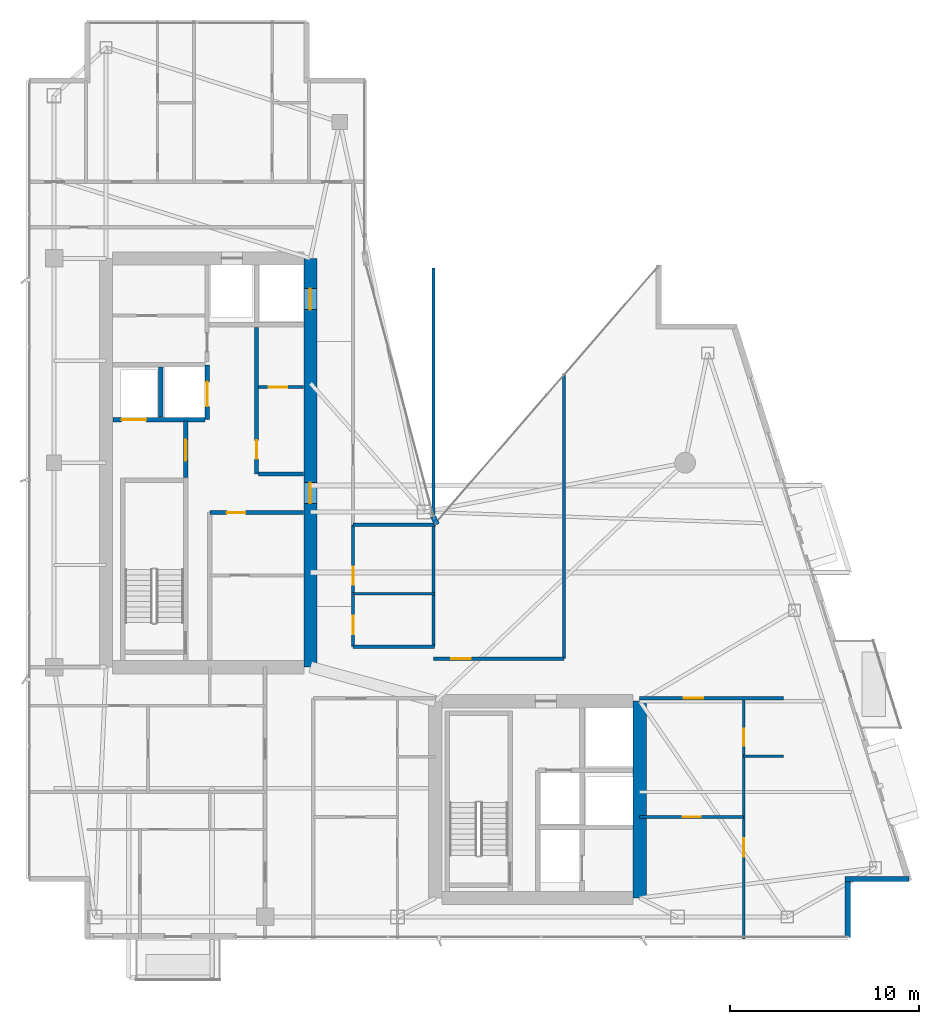
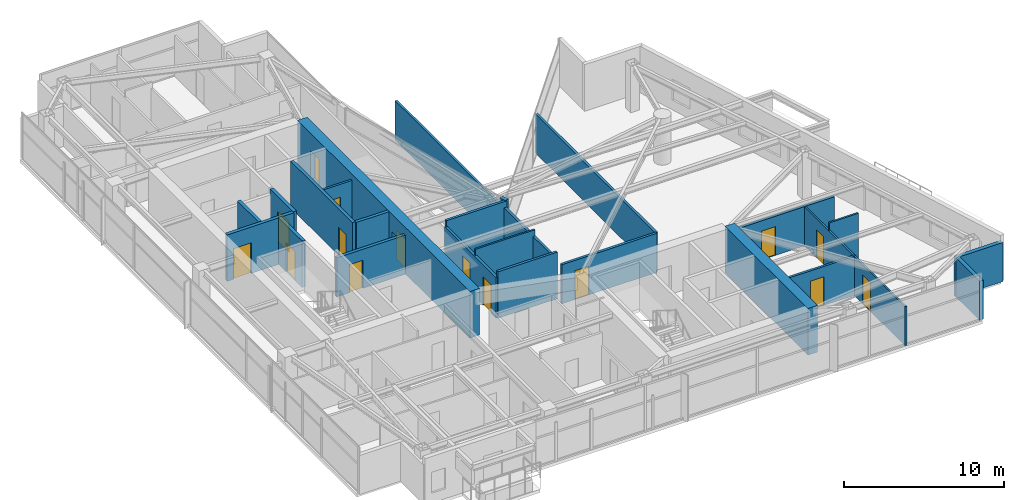
# One storey, part 25 of 29: 25 walls, 15 doors, 15 openings.
"""IFC4 building model written with IfcOpenShell, lengths in metres."""

from ifc_helpers import new_model, si_unit, direction, frame, frame_2d, origin, place, context, subcontext, project, spatial, rectangle, extrude, material, layer, layer_set, type_object, element, fill, save


model = new_model("IFC4")

# Units and contexts
model_context = context("Model", 3, precision=1e-05, world=origin(), true_north=direction((0.0, 1.0)))
body_context = subcontext(model_context, "Body", "Model", "MODEL_VIEW")
ifc_project = project(units=[si_unit("LENGTHUNIT", "METRE"), si_unit("AREAUNIT", "SQUARE_METRE"), si_unit("VOLUMEUNIT", "CUBIC_METRE"), si_unit("PLANEANGLEUNIT", "RADIAN"), si_unit("MASSUNIT", "GRAM", prefix="KILO")], contexts=[model_context])

# Site, building, storey
site_placement = place(None, origin())
site = spatial("IfcSite", under=ifc_project, at=site_placement, CompositionType="ELEMENT")
building_placement = place(site_placement, origin())
building = spatial("IfcBuilding", under=site, at=building_placement, Name="Calvorn Quay Hotel", CompositionType="ELEMENT")
storey_placement = place(building_placement, frame((0.0, 0.0, 251.39990234375)))
storey = spatial("IfcBuildingStorey", under=building, at=storey_placement, Name="L62", CompositionType="ELEMENT", Elevation=251.39990234375)

# Wall, openings, doors
ifc_material_1 = material(Name="Concrete C45", Category="concrete")
ifc_layer_1 = layer(ifc_material_1, 0.699951171875)
ifc_layer_set_1 = layer_set([ifc_layer_1], Name="WL-CORE-700")
wall_type_1 = type_object("IfcWallType", Name="WL-CORE-700", PredefinedType="SHEAR", material=ifc_layer_set_1)
wall_1_placement = place(storey_placement, frame((15.0, 16.800048828125, 0.0), z_axis=(0.0, 0.0, 1.0), x_axis=(0.0, 1.0, 0.0)))
wall_1 = element("IfcWall", 1, at=wall_1_placement, inside=storey, type_object=wall_type_1, Name="West Core Shear Wall E (L62)", PredefinedType="SHEAR", context=body_context, shape_type="SweptSolid", body=[
    extrude(rectangle(XDim=21.599853515625, YDim=0.699951171875, at=frame_2d((10.7998046875, 0.0))), origin(), (0.0, 0.0, 1.0), 3.56005859375),
])
opening_1_placement = place(wall_1_placement, frame((8.64990234375, 0.0, 0.0)))
opening_1 = element("IfcOpeningElement", 2, at=opening_1_placement, cuts=wall_1, Name="Opening D-L62-CW1", PredefinedType="OPENING", context=body_context, shape_type="SweptSolid", body=[
    extrude(rectangle(XDim=1.10009765625, YDim=2.199951171875, at=frame_2d((0.550048828125, 1.10009765625))), frame((0.0, 0.35986328125, 0.0), z_axis=(0.0, -1.0, 0.0), x_axis=(1.0, 0.0, 0.0)), (0.0, 0.0, 1.0), 0.719970703125),
])
opening_2_placement = place(wall_1_placement, frame((18.89990234375, 0.0, 0.0)))
opening_2 = element("IfcOpeningElement", 3, at=opening_2_placement, cuts=wall_1, Name="Opening LD-L62-H1", PredefinedType="OPENING", context=body_context, shape_type="SweptSolid", body=[
    extrude(rectangle(XDim=1.10009765625, YDim=2.199951171875, at=frame_2d((0.550048828125, 1.10009765625))), frame((0.0, 0.35986328125, 0.0), z_axis=(0.0, -1.0, 0.0), x_axis=(1.0, 0.0, 0.0)), (0.0, 0.0, 1.0), 0.719970703125),
])
ifc_material_2 = material(Name="Smoke-Sealed Steel Class A Fire Door", Category="steel")
door_type_1 = type_object("IfcDoorType", Name="DR-FFLOBBY-1100", OperationType="NOTDEFINED", PredefinedType="DOOR", material=ifc_material_2)
door_1_placement = place(opening_1_placement, origin())
door_1 = element("IfcDoor", 4, at=door_1_placement, inside=storey, type_object=door_type_1, Name="West Core Vestibule Fire Door (L62)", OperationType="SINGLE_SWING_LEFT", OverallHeight=2.199951171875, OverallWidth=1.10009765625, PredefinedType="DOOR", context=body_context, shape_type="SweptSolid", body=[
    extrude(rectangle(XDim=1.10009765625, YDim=2.199951171875, at=frame_2d((0.550048828125, 1.10009765625))), frame((0.0, 0.02490234375, 0.0), z_axis=(0.0, -1.0, 0.0), x_axis=(1.0, 0.0, 0.0)), (0.0, 0.0, 1.0), 0.050048828125),
])
fill(opening_1, door_1)
ifc_material_3 = material(Name="Brushed Stainless Steel Sliding Lift Landing Door", Category="steel")
door_type_2 = type_object("IfcDoorType", Name="DR-LIFT-PASS-1100", OperationType="NOTDEFINED", PredefinedType="DOOR", material=ifc_material_3)
door_2_placement = place(opening_2_placement, origin())
door_2 = element("IfcDoor", 5, at=door_2_placement, inside=storey, type_object=door_type_2, Name="High-Rise Lift PL-H1 Landing Door (L62)", OperationType="DOUBLE_DOOR_SLIDING", OverallHeight=2.199951171875, OverallWidth=1.10009765625, PredefinedType="DOOR", context=body_context, shape_type="SweptSolid", body=[
    extrude(rectangle(XDim=1.10009765625, YDim=2.199951171875, at=frame_2d((0.550048828125, 1.10009765625))), frame((0.0, 0.02490234375, 0.0), z_axis=(0.0, -1.0, 0.0), x_axis=(1.0, 0.0, 0.0)), (0.0, 0.0, 1.0), 0.050048828125),
])
fill(opening_2, door_2)

# Walls
wall_2_placement = place(storey_placement, frame((32.39990234375, 4.60009765625, 0.0), z_axis=(0.0, 0.0, 1.0), x_axis=(0.0, 1.0, 0.0)))
element("IfcWall", 6, at=wall_2_placement, inside=storey, type_object=wall_type_1, Name="East Core Shear Wall E (L62)", PredefinedType="SHEAR", context=body_context, shape_type="SweptSolid", body=[
    extrude(rectangle(XDim=10.39990234375, YDim=0.699951171875, at=frame_2d((5.199951171875, 0.0))), origin(), (0.0, 0.0, 1.0), 3.56005859375),
])
ifc_material_4 = material(Name="Acoustic Fireboard Steel-Stud Partition", Category="steel")
ifc_layer_2 = layer(ifc_material_4, 0.179931640625)
ifc_layer_set_2 = layer_set([ifc_layer_2], Name="WL-CORR-FIRE-180")
wall_type_2 = type_object("IfcWallType", Name="WL-CORR-FIRE-180", PredefinedType="PARTITIONING", material=ifc_layer_set_2)
wall_3_placement = place(storey_placement, frame((17.25, 17.8798828125, 0.0), z_axis=(0.0, 0.0, 1.0), x_axis=(1.0, 0.0, 0.0)))
element("IfcWall", 7, at=wall_3_placement, inside=storey, type_object=wall_type_2, Name="Partition Wall L62-WL-HK-S", PredefinedType="PARTITIONING", context=body_context, shape_type="SweptSolid", body=[
    extrude(rectangle(XDim=4.300048828125, YDim=0.179931640625, at=frame_2d((2.14990234375, 0.0))), origin(), (0.0, 0.0, 1.0), 3.56005859375),
])
wall_4_placement = place(storey_placement, frame((17.25, 24.320068359375, 0.0), z_axis=(0.0, 0.0, 1.0), x_axis=(1.0, 0.0, 0.0)))
element("IfcWall", 8, at=wall_4_placement, inside=storey, type_object=wall_type_2, Name="Partition Wall L62-WL-HK-N", PredefinedType="PARTITIONING", context=body_context, shape_type="SweptSolid", body=[
    extrude(rectangle(XDim=4.35009765625, YDim=0.179931640625, at=frame_2d((2.175048828125, 0.0))), origin(), (0.0, 0.0, 1.0), 3.56005859375),
])
wall_5_placement = place(storey_placement, frame((21.5, 17.8798828125, 0.0), z_axis=(0.0, 0.0, 1.0), x_axis=(0.0, 1.0, 0.0)))
element("IfcWall", 9, at=wall_5_placement, inside=storey, type_object=wall_type_2, Name="Partition Wall L62-WL-HK-E", PredefinedType="PARTITIONING", context=body_context, shape_type="SweptSolid", body=[
    extrude(rectangle(XDim=6.440185546875, YDim=0.179931640625, at=frame_2d((3.22021484375, 0.0))), origin(), (0.0, 0.0, 1.0), 3.090087890625),
])

# Wall, openings, doors
wall_6_placement = place(storey_placement, frame((17.25, 17.8798828125, 0.0), z_axis=(0.0, 0.0, 1.0), x_axis=(0.0, 1.0, 0.0)))
wall_6 = element("IfcWall", 10, at=wall_6_placement, inside=storey, type_object=wall_type_2, Name="Partition Wall L62-WL-HK-W", PredefinedType="PARTITIONING", context=body_context, shape_type="SweptSolid", body=[
    extrude(rectangle(XDim=6.440185546875, YDim=0.179931640625, at=frame_2d((3.22021484375, 0.0))), origin(), (0.0, 0.0, 1.0), 3.090087890625),
])
opening_3_placement = place(wall_6_placement, frame((0.64990234375, 0.0, 0.0)))
opening_3 = element("IfcOpeningElement", 11, at=opening_3_placement, cuts=wall_6, Name="Opening D-L62-HK", PredefinedType="OPENING", context=body_context, shape_type="SweptSolid", body=[
    extrude(rectangle(XDim=0.97998046875, YDim=2.14990234375, at=frame_2d((0.489990234375, 1.074951171875))), frame((0.0, 0.099853515625, 0.0), z_axis=(0.0, -1.0, 0.0), x_axis=(1.0, 0.0, 0.0)), (0.0, 0.0, 1.0), 0.199951171875),
])
opening_4_placement = place(wall_6_placement, frame((3.27001953125, 0.0, 0.0)))
opening_4 = element("IfcOpeningElement", 12, at=opening_4_placement, cuts=wall_6, Name="Opening D-L62-NCP", PredefinedType="OPENING", context=body_context, shape_type="SweptSolid", body=[
    extrude(rectangle(XDim=0.9599609375, YDim=2.199951171875, at=frame_2d((0.47998046875, 1.10009765625))), frame((0.0, 0.099853515625, 0.0), z_axis=(0.0, -1.0, 0.0), x_axis=(1.0, 0.0, 0.0)), (0.0, 0.0, 1.0), 0.199951171875),
])
ifc_material_5 = material(Name="Painted Steel Housekeeping/Riser Fire Door", Category="steel")
door_type_3 = type_object("IfcDoorType", Name="DR-SERVICE-980", OperationType="NOTDEFINED", PredefinedType="DOOR", material=ifc_material_5)
door_3_placement = place(opening_3_placement, origin())
door_3 = element("IfcDoor", 13, at=door_3_placement, inside=storey, type_object=door_type_3, Name="Floor Housekeeping Door (L62)", OperationType="SINGLE_SWING_LEFT", OverallHeight=2.14990234375, OverallWidth=0.97998046875, PredefinedType="DOOR", context=body_context, shape_type="SweptSolid", body=[
    extrude(rectangle(XDim=0.97998046875, YDim=2.14990234375, at=frame_2d((0.489990234375, 1.074951171875))), frame((0.0, 0.02490234375, 0.0), z_axis=(0.0, -1.0, 0.0), x_axis=(1.0, 0.0, 0.0)), (0.0, 0.0, 1.0), 0.050048828125),
])
fill(opening_3, door_3)
ifc_material_6 = material(Name="Solid Timber Internal Suite Door", Category="wood")
door_type_4 = type_object("IfcDoorType", Name="DR-SUITE-INT-960", OperationType="NOTDEFINED", PredefinedType="DOOR", material=ifc_material_6)
door_4_placement = place(opening_4_placement, origin())
door_4 = element("IfcDoor", 14, at=door_4_placement, inside=storey, type_object=door_type_4, Name="Reading Alcove Door (L62)", OperationType="SINGLE_SWING_RIGHT", OverallHeight=2.199951171875, OverallWidth=0.9599609375, PredefinedType="DOOR", context=body_context, shape_type="SweptSolid", body=[
    extrude(rectangle(XDim=0.9599609375, YDim=2.199951171875, at=frame_2d((0.47998046875, 1.10009765625))), frame((0.0, 0.02490234375, 0.0), z_axis=(0.0, -1.0, 0.0), x_axis=(1.0, 0.0, 0.0)), (0.0, 0.0, 1.0), 0.050048828125),
])
fill(opening_4, door_4)

# Wall, opening, door
wall_7_placement = place(storey_placement, frame((32.39990234375, 15.14990234375, 0.0), z_axis=(0.0, 0.0, 1.0), x_axis=(1.0, 0.0, 0.0)))
wall_7 = element("IfcWall", 15, at=wall_7_placement, inside=storey, type_object=wall_type_2, Name="Partition Wall L62-WL-CORR-SE-S", PredefinedType="PARTITIONING", context=body_context, shape_type="SweptSolid", body=[
    extrude(rectangle(XDim=7.60009765625, YDim=0.179931640625, at=frame_2d((3.800048828125, 0.0))), origin(), (0.0, 0.0, 1.0), 2.989990234375),
])
opening_5_placement = place(wall_7_placement, frame((2.330078125, 0.0, 0.0)))
opening_5 = element("IfcOpeningElement", 16, at=opening_5_placement, cuts=wall_7, Name="Opening D-L62-U06", PredefinedType="OPENING", context=body_context, shape_type="SweptSolid", body=[
    extrude(rectangle(XDim=1.02001953125, YDim=2.199951171875, at=frame_2d((0.510009765625, 1.10009765625))), frame((0.0, 0.099853515625, 0.0), z_axis=(0.0, -1.0, 0.0), x_axis=(1.0, 0.0, 0.0)), (0.0, 0.0, 1.0), 0.199951171875),
])
ifc_material_7 = material(Name="Solid-Core Walnut Veneer Hotel Fire Door")
door_type_5 = type_object("IfcDoorType", Name="DR-GUEST-ENTRY-1020", OperationType="NOTDEFINED", PredefinedType="DOOR", material=ifc_material_7)
door_5_placement = place(opening_5_placement, origin())
door_5 = element("IfcDoor", 17, at=door_5_placement, inside=storey, type_object=door_type_5, Name="South-East Unit Door U06 (L62)", OperationType="SINGLE_SWING_LEFT", OverallHeight=2.199951171875, OverallWidth=1.02001953125, PredefinedType="DOOR", context=body_context, shape_type="SweptSolid", body=[
    extrude(rectangle(XDim=1.02001953125, YDim=2.199951171875, at=frame_2d((0.510009765625, 1.10009765625))), frame((0.0, 0.02490234375, 0.0), z_axis=(0.0, -1.0, 0.0), x_axis=(1.0, 0.0, 0.0)), (0.0, 0.0, 1.0), 0.050048828125),
])
fill(opening_5, door_5)

wall_8_placement = place(storey_placement, frame((21.5, 17.25, 0.0), z_axis=(0.0, 0.0, 1.0), x_axis=(1.0, 0.0, 0.0)))
wall_8 = element("IfcWall", 18, at=wall_8_placement, inside=storey, type_object=wall_type_2, Name="Partition Wall L62-WL-CORR-NE-N", PredefinedType="PARTITIONING", context=body_context, shape_type="SweptSolid", body=[
    extrude(rectangle(XDim=6.89990234375, YDim=0.179931640625, at=frame_2d((3.449951171875, 0.0))), origin(), (0.0, 0.0, 1.0), 2.989990234375),
])
opening_6_placement = place(wall_8_placement, frame((0.949951171875, 0.0, 0.0)))
opening_6 = element("IfcOpeningElement", 19, at=opening_6_placement, cuts=wall_8, Name="Opening D-L62-NS1", PredefinedType="OPENING", context=body_context, shape_type="SweptSolid", body=[
    extrude(rectangle(XDim=1.02001953125, YDim=2.199951171875, at=frame_2d((0.510009765625, 1.10009765625))), frame((0.0, 0.099853515625, 0.0), z_axis=(0.0, -1.0, 0.0), x_axis=(1.0, 0.0, 0.0)), (0.0, 0.0, 1.0), 0.199951171875),
])
door_6_placement = place(opening_6_placement, origin())
door_6 = element("IfcDoor", 20, at=door_6_placement, inside=storey, type_object=door_type_5, Name="Conservatory Salon Door 1 (L62)", OperationType="SINGLE_SWING_RIGHT", OverallHeight=2.199951171875, OverallWidth=1.02001953125, PredefinedType="DOOR", context=body_context, shape_type="SweptSolid", body=[
    extrude(rectangle(XDim=1.02001953125, YDim=2.199951171875, at=frame_2d((0.510009765625, 1.10009765625))), frame((0.0, 0.02490234375, 0.0), z_axis=(0.0, -1.0, 0.0), x_axis=(1.0, 0.0, 0.0)), (0.0, 0.0, 1.0), 0.050048828125),
])
fill(opening_6, door_6)

# Walls
wall_9_placement = place(storey_placement, frame((28.39990234375, 17.25, 0.0), z_axis=(0.0, 0.0, 1.0), x_axis=(0.0, 1.0, 0.0)))
element("IfcWall", 21, at=wall_9_placement, inside=storey, type_object=wall_type_2, Name="Partition Wall L62-WL-NE-END-E", PredefinedType="PARTITIONING", context=body_context, shape_type="SweptSolid", body=[
    extrude(rectangle(XDim=15.070068359375, YDim=0.179931640625, at=frame_2d((7.53515625, 0.0))), origin(), (0.0, 0.0, 1.0), 2.989990234375),
])
ifc_material_8 = material(Name="Moisture-Resistant Tile-Backed Partition")
ifc_layer_3 = layer(ifc_material_8, 0.125)
ifc_layer_set_3 = layer_set([ifc_layer_3], Name="WL-ENSUITE-125")
wall_type_3 = type_object("IfcWallType", Name="WL-ENSUITE-125", PredefinedType="PARTITIONING", material=ifc_layer_set_3)
wall_10_placement = place(storey_placement, frame((17.25, 20.679931640625, 0.0), z_axis=(0.0, 0.0, 1.0), x_axis=(1.0, 0.0, 0.0)))
element("IfcWall", 22, at=wall_10_placement, inside=storey, type_object=wall_type_3, Name="Partition Wall L62-WL-HK-M", PredefinedType="PARTITIONING", context=body_context, shape_type="SweptSolid", body=[
    extrude(rectangle(XDim=4.300048828125, YDim=0.125, at=frame_2d((2.14990234375, 0.0))), origin(), (0.0, 0.0, 1.0), 3.56005859375),
])
wall_11_placement = place(storey_placement, frame((37.889892578125, 12.10009765625, 0.0), z_axis=(0.0, 0.0, 1.0), x_axis=(1.0, 0.0, 0.0)))
element("IfcWall", 23, at=wall_11_placement, inside=storey, type_object=wall_type_3, Name="Partition Wall L62-WL-U06-BDV", PredefinedType="PARTITIONING", context=body_context, shape_type="SweptSolid", body=[
    extrude(rectangle(XDim=2.110107421875, YDim=0.125, at=frame_2d((1.05517578125, 0.0))), origin(), (0.0, 0.0, 1.0), 3.56005859375),
])

# Wall, openings, doors
wall_12_placement = place(storey_placement, frame((37.889892578125, 2.43994140625, 0.0), z_axis=(0.0, 0.0, 1.0), x_axis=(0.0, 1.0, 0.0)))
wall_12 = element("IfcWall", 24, at=wall_12_placement, inside=storey, type_object=wall_type_3, Name="Partition Wall L62-WL-U06-BV", PredefinedType="PARTITIONING", context=body_context, shape_type="SweptSolid", body=[
    extrude(rectangle(XDim=12.7099609375, YDim=0.125, at=frame_2d((6.35498046875, 0.0))), origin(), (0.0, 0.0, 1.0), 2.989990234375),
])
opening_7_placement = place(wall_12_placement, frame((4.35009765625, 0.0, 0.0)))
opening_7 = element("IfcOpeningElement", 25, at=opening_7_placement, cuts=wall_12, Name="Opening D-L62-S06", PredefinedType="OPENING", context=body_context, shape_type="SweptSolid", body=[
    extrude(rectangle(XDim=0.9599609375, YDim=2.199951171875, at=frame_2d((0.47998046875, 1.10009765625))), frame((0.0, 0.072509765625, 0.0), z_axis=(0.0, -1.0, 0.0), x_axis=(1.0, 0.0, 0.0)), (0.0, 0.0, 1.0), 0.14501953125),
])
opening_8_placement = place(wall_12_placement, frame((10.2099609375, 0.0, 0.0)))
opening_8 = element("IfcOpeningElement", 26, at=opening_8_placement, cuts=wall_12, Name="Opening D-L62-E06", PredefinedType="OPENING", context=body_context, shape_type="SweptSolid", body=[
    extrude(rectangle(XDim=0.89990234375, YDim=2.14990234375, at=frame_2d((0.449951171875, 1.074951171875))), frame((0.0, 0.072509765625, 0.0), z_axis=(0.0, -1.0, 0.0), x_axis=(1.0, 0.0, 0.0)), (0.0, 0.0, 1.0), 0.14501953125),
])
ifc_material_9 = material(Name="Moisture-Sealed Timber En-Suite Door", Category="wood")
door_type_6 = type_object("IfcDoorType", Name="DR-ENSUITE-900", OperationType="NOTDEFINED", PredefinedType="DOOR", material=ifc_material_9)
door_7_placement = place(opening_8_placement, origin())
door_7 = element("IfcDoor", 27, at=door_7_placement, inside=storey, type_object=door_type_6, Name="En-Suite Door 06", OperationType="SINGLE_SWING_RIGHT", OverallHeight=2.14990234375, OverallWidth=0.89990234375, PredefinedType="DOOR", context=body_context, shape_type="SweptSolid", body=[
    extrude(rectangle(XDim=0.89990234375, YDim=2.14990234375, at=frame_2d((0.449951171875, 1.074951171875))), frame((0.0, 0.02490234375, 0.0), z_axis=(0.0, -1.0, 0.0), x_axis=(1.0, 0.0, 0.0)), (0.0, 0.0, 1.0), 0.050048828125),
])
fill(opening_8, door_7)
door_8_placement = place(opening_7_placement, origin())
door_8 = element("IfcDoor", 28, at=door_8_placement, inside=storey, type_object=door_type_4, Name="Curated Resort Boutique Door 06", OperationType="SINGLE_SWING_LEFT", OverallHeight=2.199951171875, OverallWidth=0.9599609375, PredefinedType="DOOR", context=body_context, shape_type="SweptSolid", body=[
    extrude(rectangle(XDim=0.9599609375, YDim=2.199951171875, at=frame_2d((0.47998046875, 1.10009765625))), frame((0.0, 0.02490234375, 0.0), z_axis=(0.0, -1.0, 0.0), x_axis=(1.0, 0.0, 0.0)), (0.0, 0.0, 1.0), 0.050048828125),
])
fill(opening_7, door_8)

# Walls
ifc_material_10 = material(Name="Concrete C40", Category="concrete")
ifc_layer_4 = layer(ifc_material_10, 0.320068359375)
ifc_layer_set_4 = layer_set([ifc_layer_4], Name="WL-EXT-SPANDREL-320")
wall_type_4 = type_object("IfcWallType", Name="WL-EXT-SPANDREL-320", PredefinedType="SOLIDWALL", material=ifc_layer_set_4)
wall_13_placement = place(storey_placement, frame((21.679931640625, 24.340087890625, 0.0), z_axis=(0.0, 0.0, 1.0), x_axis=(-0.40758134973, 0.913168901875, 0.0)))
element("IfcWall", 29, at=wall_13_placement, inside=storey, type_object=wall_type_4, Name="Inner Court Corner Pier L62-ICJ1", PredefinedType="SOLIDWALL", context=body_context, shape_type="SweptSolid", body=[
    extrude(rectangle(XDim=0.470703125, YDim=0.280029296875, at=frame_2d((0.2353515625, 0.0))), origin(), (0.0, 0.0, 1.0), 3.56005859375),
])
wall_14_placement = place(storey_placement, frame((43.39990234375, 2.52001953125, 0.0), z_axis=(0.0, 0.0, 1.0), x_axis=(0.0, 1.0, 0.0)))
element("IfcWall", 30, at=wall_14_placement, inside=storey, type_object=wall_type_4, Name="Notched Corner Spandrel L62-SE1", PredefinedType="SOLIDWALL", context=body_context, shape_type="SweptSolid", body=[
    extrude(rectangle(XDim=2.93994140625, YDim=0.280029296875, at=frame_2d((1.469970703125, 0.0))), origin(), (0.0, 0.0, 1.0), 2.989990234375),
])
wall_15_placement = place(storey_placement, frame((43.260009765625, 5.60009765625, 0.0), z_axis=(0.0, 0.0, 1.0), x_axis=(1.0, 0.0, 0.0)))
element("IfcWall", 31, at=wall_15_placement, inside=storey, type_object=wall_type_4, Name="Notched Corner Spandrel L62-SE2", PredefinedType="SOLIDWALL", context=body_context, shape_type="SweptSolid", body=[
    extrude(rectangle(XDim=3.3798828125, YDim=0.280029296875, at=frame_2d((1.68994140625, 0.0))), origin(), (0.0, 0.0, 1.0), 2.989990234375),
])

# Wall, opening, door
ifc_material_11 = material(Name="Double-Stud Acoustic Gypsum Partition")
ifc_layer_5 = layer(ifc_material_11, 0.159912109375)
ifc_layer_set_5 = layer_set([ifc_layer_5], Name="WL-INTERSUITE-160")
wall_type_5 = type_object("IfcWallType", Name="WL-INTERSUITE-160", PredefinedType="PARTITIONING", material=ifc_layer_set_5)
wall_16_placement = place(storey_placement, frame((12.25, 31.60009765625, 0.0), z_axis=(0.0, 0.0, 1.0), x_axis=(1.0, 0.0, 0.0)))
wall_16 = element("IfcWall", 32, at=wall_16_placement, inside=storey, type_object=wall_type_5, Name="Partition Wall L62-WL-CWW-FM-SPLIT", PredefinedType="PARTITIONING", context=body_context, shape_type="SweptSolid", body=[
    extrude(rectangle(XDim=2.3798828125, YDim=0.159912109375, at=frame_2d((1.18994140625, 0.0))), origin(), (0.0, 0.0, 1.0), 3.14013671875),
])
opening_9_placement = place(wall_16_placement, frame((0.550048828125, 0.0, 0.0)))
opening_9 = element("IfcOpeningElement", 33, at=opening_9_placement, cuts=wall_16, Name="Opening D-L62-FM2", PredefinedType="OPENING", context=body_context, shape_type="SweptSolid", body=[
    extrude(rectangle(XDim=0.97998046875, YDim=2.14990234375, at=frame_2d((0.489990234375, 1.074951171875))), frame((0.0, 0.08984375, 0.0), z_axis=(0.0, -1.0, 0.0), x_axis=(1.0, 0.0, 0.0)), (0.0, 0.0, 1.0), 0.179931640625),
])
door_9_placement = place(opening_9_placement, origin())
door_9 = element("IfcDoor", 34, at=door_9_placement, inside=storey, type_object=door_type_3, Name="Comms Room Door (L62)", OperationType="SINGLE_SWING_LEFT", OverallHeight=2.14990234375, OverallWidth=0.97998046875, PredefinedType="DOOR", context=body_context, shape_type="SweptSolid", body=[
    extrude(rectangle(XDim=0.97998046875, YDim=2.14990234375, at=frame_2d((0.489990234375, 1.074951171875))), frame((0.0, 0.02490234375, 0.0), z_axis=(0.0, -1.0, 0.0), x_axis=(1.0, 0.0, 0.0)), (0.0, 0.0, 1.0), 0.050048828125),
])
fill(opening_9, door_9)

wall_17_placement = place(storey_placement, frame((32.39990234375, 8.8798828125, 0.0), z_axis=(0.0, 0.0, 1.0), x_axis=(1.0, 0.0, 0.0)))
wall_17 = element("IfcWall", 35, at=wall_17_placement, inside=storey, type_object=wall_type_5, Name="Partition Wall L62-WL-U06-MSP", PredefinedType="PARTITIONING", context=body_context, shape_type="SweptSolid", body=[
    extrude(rectangle(XDim=5.489990234375, YDim=0.159912109375, at=frame_2d((2.7451171875, 0.0))), origin(), (0.0, 0.0, 1.0), 2.989990234375),
])
opening_10_placement = place(wall_17_placement, frame((2.27001953125, 0.0, 0.0)))
opening_10 = element("IfcOpeningElement", 36, at=opening_10_placement, cuts=wall_17, Name="Opening D-L62-M06", PredefinedType="OPENING", context=body_context, shape_type="SweptSolid", body=[
    extrude(rectangle(XDim=0.9599609375, YDim=2.199951171875, at=frame_2d((0.47998046875, 1.10009765625))), frame((0.0, 0.08984375, 0.0), z_axis=(0.0, -1.0, 0.0), x_axis=(1.0, 0.0, 0.0)), (0.0, 0.0, 1.0), 0.179931640625),
])
door_10_placement = place(opening_10_placement, origin())
door_10 = element("IfcDoor", 37, at=door_10_placement, inside=storey, type_object=door_type_4, Name="Suite Bedroom Door 06", OperationType="SINGLE_SWING_LEFT", OverallHeight=2.199951171875, OverallWidth=0.9599609375, PredefinedType="DOOR", context=body_context, shape_type="SweptSolid", body=[
    extrude(rectangle(XDim=0.9599609375, YDim=2.199951171875, at=frame_2d((0.47998046875, 1.10009765625))), frame((0.0, 0.02490234375, 0.0), z_axis=(0.0, -1.0, 0.0), x_axis=(1.0, 0.0, 0.0)), (0.0, 0.0, 1.0), 0.050048828125),
])
fill(opening_10, door_10)

# Wall
wall_18_placement = place(storey_placement, frame((21.5, 24.85009765625, 0.0), z_axis=(0.0, 0.0, 1.0), x_axis=(0.0, 1.0, 0.0)))
element("IfcWall", 38, at=wall_18_placement, inside=storey, type_object=wall_type_5, Name="Partition Wall L62-WL-NC-UPPER-E", PredefinedType="PARTITIONING", context=body_context, shape_type="SweptSolid", body=[
    extrude(rectangle(XDim=13.0498046875, YDim=0.159912109375, at=frame_2d((6.52490234375, 0.0))), origin(), (0.0, 0.0, 1.0), 2.989990234375),
])

# Wall, opening, door
ifc_material_12 = material(Name="Autoclaved Aerated Masonry Block", Category="masonry")
ifc_layer_6 = layer(ifc_material_12, 0.219970703125)
ifc_layer_set_6 = layer_set([ifc_layer_6], Name="WL-LOBBY-FIRE-220")
wall_type_6 = type_object("IfcWallType", Name="WL-LOBBY-FIRE-220", PredefinedType="SOLIDWALL", material=ifc_layer_set_6)
wall_19_placement = place(storey_placement, frame((9.679931640625, 24.969970703125, 0.0), z_axis=(0.0, 0.0, 1.0), x_axis=(1.0, 0.0, 0.0)))
wall_19 = element("IfcWall", 39, at=wall_19_placement, inside=storey, type_object=wall_type_6, Name="Partition Wall L62-WL-CWW-FR-N", PredefinedType="SOLIDWALL", context=body_context, shape_type="SweptSolid", body=[
    extrude(rectangle(XDim=4.949951171875, YDim=0.219970703125, at=frame_2d((2.47509765625, 0.0))), origin(), (0.0, 0.0, 1.0), 2.989990234375),
])
opening_11_placement = place(wall_19_placement, frame((0.89990234375, 0.0, 0.0)))
opening_11 = element("IfcOpeningElement", 40, at=opening_11_placement, cuts=wall_19, Name="Opening D-L62-FRL2", PredefinedType="OPENING", context=body_context, shape_type="SweptSolid", body=[
    extrude(rectangle(XDim=0.97998046875, YDim=2.14990234375, at=frame_2d((0.489990234375, 1.074951171875))), frame((0.0, 0.119873046875, 0.0), z_axis=(0.0, -1.0, 0.0), x_axis=(1.0, 0.0, 0.0)), (0.0, 0.0, 1.0), 0.239990234375),
])
door_11_placement = place(opening_11_placement, origin())
door_11 = element("IfcDoor", 41, at=door_11_placement, inside=storey, type_object=door_type_3, Name="Beverage Pantry Door (L62)", OperationType="SINGLE_SWING_RIGHT", OverallHeight=2.14990234375, OverallWidth=0.97998046875, PredefinedType="DOOR", context=body_context, shape_type="SweptSolid", body=[
    extrude(rectangle(XDim=0.97998046875, YDim=2.14990234375, at=frame_2d((0.489990234375, 1.074951171875))), frame((0.0, 0.02490234375, 0.0), z_axis=(0.0, -1.0, 0.0), x_axis=(1.0, 0.0, 0.0)), (0.0, 0.0, 1.0), 0.050048828125),
])
fill(opening_11, door_11)

# Wall
wall_20_placement = place(storey_placement, frame((12.25, 27.0, 0.0), z_axis=(0.0, 0.0, 1.0), x_axis=(1.0, 0.0, 0.0)))
element("IfcWall", 42, at=wall_20_placement, inside=storey, type_object=wall_type_6, Name="Partition Wall L62-WL-CWW-FM-S", PredefinedType="SOLIDWALL", context=body_context, shape_type="SweptSolid", body=[
    extrude(rectangle(XDim=2.3798828125, YDim=0.219970703125, at=frame_2d((1.18994140625, 0.0))), origin(), (0.0, 0.0, 1.0), 3.56005859375),
])

# Wall, opening, door
wall_21_placement = place(storey_placement, frame((12.14990234375, 27.0, 0.0), z_axis=(0.0, 0.0, 1.0), x_axis=(0.0, 1.0, 0.0)))
wall_21 = element("IfcWall", 43, at=wall_21_placement, inside=storey, type_object=wall_type_6, Name="Partition Wall L62-WL-CWW-FM-W", PredefinedType="SOLIDWALL", context=body_context, shape_type="SweptSolid", body=[
    extrude(rectangle(XDim=7.75, YDim=0.219970703125, at=frame_2d((3.875, 0.0))), origin(), (0.0, 0.0, 1.0), 3.56005859375),
])
opening_12_placement = place(wall_21_placement, frame((0.800048828125, 0.0, 0.0)))
opening_12 = element("IfcOpeningElement", 44, at=opening_12_placement, cuts=wall_21, Name="Opening D-L62-FM1", PredefinedType="OPENING", context=body_context, shape_type="SweptSolid", body=[
    extrude(rectangle(XDim=0.97998046875, YDim=2.14990234375, at=frame_2d((0.489990234375, 1.074951171875))), frame((0.0, 0.119873046875, 0.0), z_axis=(0.0, -1.0, 0.0), x_axis=(1.0, 0.0, 0.0)), (0.0, 0.0, 1.0), 0.239990234375),
])
door_12_placement = place(opening_12_placement, origin())
door_12 = element("IfcDoor", 45, at=door_12_placement, inside=storey, type_object=door_type_3, Name="Butler Pantry Door (L62)", OperationType="SINGLE_SWING_RIGHT", OverallHeight=2.14990234375, OverallWidth=0.97998046875, PredefinedType="DOOR", context=body_context, shape_type="SweptSolid", body=[
    extrude(rectangle(XDim=0.97998046875, YDim=2.14990234375, at=frame_2d((0.489990234375, 1.074951171875))), frame((0.0, 0.02490234375, 0.0), z_axis=(0.0, -1.0, 0.0), x_axis=(1.0, 0.0, 0.0)), (0.0, 0.0, 1.0), 0.050048828125),
])
fill(opening_12, door_12)

ifc_material_13 = material(Name="Concrete C40", Category="concrete")
ifc_layer_7 = layer(ifc_material_13, 0.239990234375)
ifc_layer_set_7 = layer_set([ifc_layer_7], Name="WL-SHAFT-240")
wall_type_7 = type_object("IfcWallType", Name="WL-SHAFT-240", PredefinedType="SOLIDWALL", material=ifc_layer_set_7)
wall_22_placement = place(storey_placement, frame((8.419921875, 26.820068359375, 0.0), z_axis=(0.0, 0.0, 1.0), x_axis=(0.0, 1.0, 0.0)))
wall_22 = element("IfcWall", 46, at=wall_22_placement, inside=storey, type_object=wall_type_7, Name="Partition Wall L62-WL-CWW-FFL-E", PredefinedType="SOLIDWALL", context=body_context, shape_type="SweptSolid", body=[
    extrude(rectangle(XDim=3.0, YDim=0.239990234375, at=frame_2d((1.5, 0.0))), origin(), (0.0, 0.0, 1.0), 3.56005859375),
])
opening_13_placement = place(wall_22_placement, frame((0.89990234375, 0.0, 0.0)))
opening_13 = element("IfcOpeningElement", 47, at=opening_13_placement, cuts=wall_22, Name="Opening D-L62-FLW", PredefinedType="OPENING", context=body_context, shape_type="SweptSolid", body=[
    extrude(rectangle(XDim=1.10009765625, YDim=2.199951171875, at=frame_2d((0.550048828125, 1.10009765625))), frame((0.0, 0.1298828125, 0.0), z_axis=(0.0, -1.0, 0.0), x_axis=(1.0, 0.0, 0.0)), (0.0, 0.0, 1.0), 0.260009765625),
])
door_13_placement = place(opening_13_placement, origin())
door_13 = element("IfcDoor", 48, at=door_13_placement, inside=storey, type_object=door_type_1, Name="West Firefighting Lobby Fire Door (L62)", OperationType="SINGLE_SWING_RIGHT", OverallHeight=2.199951171875, OverallWidth=1.10009765625, PredefinedType="DOOR", context=body_context, shape_type="SweptSolid", body=[
    extrude(rectangle(XDim=1.10009765625, YDim=2.199951171875, at=frame_2d((0.550048828125, 1.10009765625))), frame((0.0, 0.02490234375, 0.0), z_axis=(0.0, -1.0, 0.0), x_axis=(1.0, 0.0, 0.0)), (0.0, 0.0, 1.0), 0.050048828125),
])
fill(opening_13, door_13)

wall_23_placement = place(storey_placement, frame((4.570068359375, 29.8798828125, 0.0), z_axis=(0.0, 0.0, 1.0), x_axis=(1.0, 0.0, 0.0)))
wall_23 = element("IfcWall", 49, at=wall_23_placement, inside=storey, type_object=wall_type_7, Name="Partition Wall L62-WL-CWW-FLW-S", PredefinedType="SOLIDWALL", context=body_context, shape_type="SweptSolid", body=[
    extrude(rectangle(XDim=4.849853515625, YDim=0.239990234375, at=frame_2d((2.4248046875, 0.0))), origin(), (0.0, 0.0, 1.0), 3.56005859375),
])
opening_14_placement = place(wall_23_placement, frame((0.449951171875, 0.0, 0.0)))
opening_14 = element("IfcOpeningElement", 50, at=opening_14_placement, cuts=wall_23, Name="Opening LD-L62-FLW1", PredefinedType="OPENING", context=body_context, shape_type="SweptSolid", body=[
    extrude(rectangle(XDim=1.300048828125, YDim=2.35009765625, at=frame_2d((0.64990234375, 1.175048828125))), frame((0.0, 0.1298828125, 0.0), z_axis=(0.0, -1.0, 0.0), x_axis=(1.0, 0.0, 0.0)), (0.0, 0.0, 1.0), 0.260009765625),
])
ifc_material_14 = material(Name="Champagne-Bronze Sliding Express Lift Landing Door")
door_type_7 = type_object("IfcDoorType", Name="DR-LIFT-SHUTTLE-1300", OperationType="NOTDEFINED", PredefinedType="DOOR", material=ifc_material_14)
door_14_placement = place(opening_14_placement, origin())
door_14 = element("IfcDoor", 51, at=door_14_placement, inside=storey, type_object=door_type_7, Name="Firefighting Lift FL-W1 Landing Door (L62)", OperationType="DOUBLE_DOOR_SLIDING", OverallHeight=2.35009765625, OverallWidth=1.300048828125, PredefinedType="DOOR", context=body_context, shape_type="SweptSolid", body=[
    extrude(rectangle(XDim=1.300048828125, YDim=2.35009765625, at=frame_2d((0.64990234375, 1.175048828125))), frame((0.0, 0.02490234375, 0.0), z_axis=(0.0, -1.0, 0.0), x_axis=(1.0, 0.0, 0.0)), (0.0, 0.0, 1.0), 0.050048828125),
])
fill(opening_14, door_14)

# Wall
wall_24_placement = place(storey_placement, frame((7.10009765625, 30.02001953125, 0.0), z_axis=(0.0, 0.0, 1.0), x_axis=(0.0, 1.0, 0.0)))
element("IfcWall", 52, at=wall_24_placement, inside=storey, type_object=wall_type_7, Name="Partition Wall L62-WL-CWW-FLW-DIV", PredefinedType="SOLIDWALL", context=body_context, shape_type="SweptSolid", body=[
    extrude(rectangle(XDim=2.6298828125, YDim=0.239990234375, at=frame_2d((1.31494140625, 0.0))), origin(), (0.0, 0.0, 1.0), 3.56005859375),
])

# Wall, opening, door
wall_25_placement = place(storey_placement, frame((9.5400390625, 29.8798828125, 0.0), z_axis=(0.0, 0.0, 1.0), x_axis=(0.0, 1.0, 0.0)))
wall_25 = element("IfcWall", 53, at=wall_25_placement, inside=storey, type_object=wall_type_7, Name="Partition Wall L62-WL-CWW-SLW-E", PredefinedType="SOLIDWALL", context=body_context, shape_type="SweptSolid", body=[
    extrude(rectangle(XDim=2.900146484375, YDim=0.239990234375, at=frame_2d((1.4501953125, 0.0))), origin(), (0.0, 0.0, 1.0), 3.56005859375),
])
opening_15_placement = place(wall_25_placement, frame((0.699951171875, 0.0, 0.0)))
opening_15 = element("IfcOpeningElement", 54, at=opening_15_placement, cuts=wall_25, Name="Opening LD-L62-SLW1", PredefinedType="OPENING", context=body_context, shape_type="SweptSolid", body=[
    extrude(rectangle(XDim=1.300048828125, YDim=2.35009765625, at=frame_2d((0.64990234375, 1.175048828125))), frame((0.0, 0.1298828125, 0.0), z_axis=(0.0, -1.0, 0.0), x_axis=(1.0, 0.0, 0.0)), (0.0, 0.0, 1.0), 0.260009765625),
])
door_15_placement = place(opening_15_placement, origin())
door_15 = element("IfcDoor", 55, at=door_15_placement, inside=storey, type_object=door_type_7, Name="Service Lift SL-W1 Landing Door (L62)", OperationType="DOUBLE_DOOR_SLIDING", OverallHeight=2.35009765625, OverallWidth=1.300048828125, PredefinedType="DOOR", context=body_context, shape_type="SweptSolid", body=[
    extrude(rectangle(XDim=1.300048828125, YDim=2.35009765625, at=frame_2d((0.64990234375, 1.175048828125))), frame((0.0, 0.02490234375, 0.0), z_axis=(0.0, -1.0, 0.0), x_axis=(1.0, 0.0, 0.0)), (0.0, 0.0, 1.0), 0.050048828125),
])
fill(opening_15, door_15)

save(model, "model.ifc")
